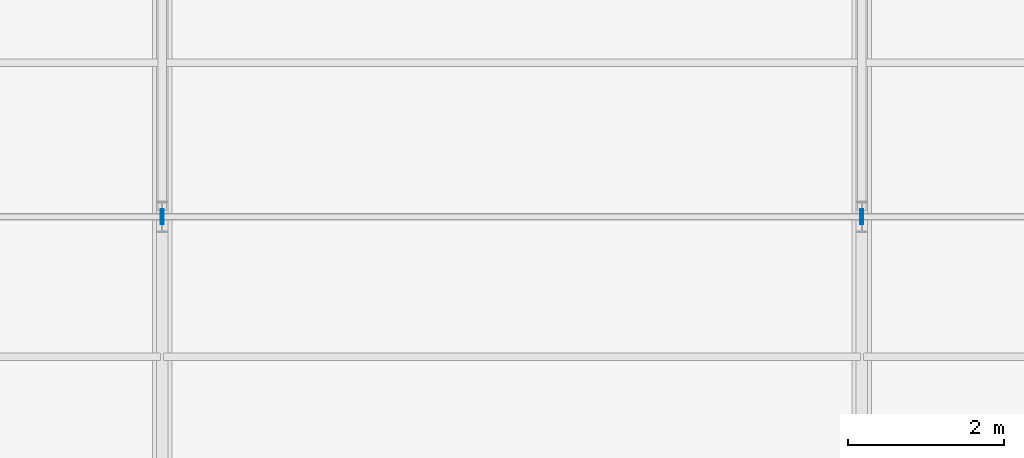
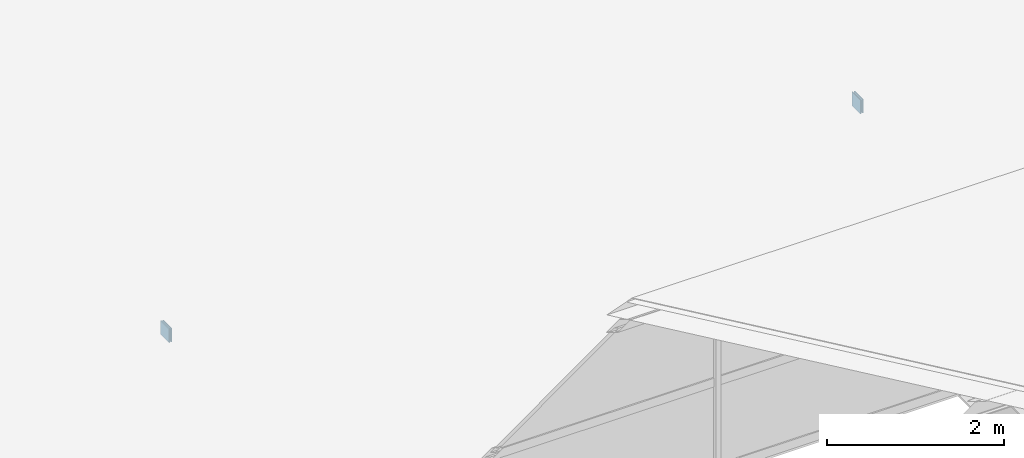
# One storey, part 140 of 163: 4 plates.
"""IFC4 building model written with IfcOpenShell, lengths in metres."""

from ifc_helpers import new_model, si_unit, direction, frame, origin, origin_2d, place, context, subcontext, project, spatial, rectangle, extrude, material, layer, layer_set, type_object, element, save


model = new_model("IFC4")

# Units and contexts
model_context = context("Model", 3, precision=1e-05, world=origin(), true_north=direction((0.0, 1.0)))
body_context = subcontext(model_context, "Body", "Model", "MODEL_VIEW")
ifc_project = project(units=[si_unit("LENGTHUNIT", "METRE"), si_unit("AREAUNIT", "SQUARE_METRE"), si_unit("VOLUMEUNIT", "CUBIC_METRE"), si_unit("PLANEANGLEUNIT", "RADIAN"), si_unit("MASSUNIT", "GRAM", prefix="KILO")], contexts=[model_context])

# Site, building, storey
site_placement = place(None, origin())
site = spatial("IfcSite", under=ifc_project, at=site_placement, CompositionType="ELEMENT")
building_placement = place(site_placement, origin())
building = spatial("IfcBuilding", under=site, at=building_placement, Name="Tharagai Park Tramway Depot", CompositionType="ELEMENT")
storey_placement = place(building_placement, frame((0.0, 0.0, 8.39990234375)))
storey = spatial("IfcBuildingStorey", under=building, at=storey_placement, Name="L02", CompositionType="ELEMENT", Elevation=8.39990234375)

# Plates
ifc_material = material(Name="Steel E350", Category="steel")
ifc_layer = layer(ifc_material, 0.011962890625)
ifc_layer_set = layer_set([ifc_layer], Name="Steel E350")
plate_type = type_object("IfcPlateType", Name="GP-04", PredefinedType="SHEET", material=ifc_layer_set)
for number, where, z_axis, x_axis, name in (
    (1, (107.986083984375, 103.5, 1.8515625), (0.0, 0.0, 1.0), (1.0, 0.0, 0.0), "Tube End Cap Plate GP-04"),
    (2, (108.013916015625, 103.5, 1.8515625), (0.0, 0.0, 1.0), (1.0, 0.0, 0.0), "Tube End Cap Plate GP-04"),
    (3, (116.986083984375, 103.5, 1.8515625), (0.0, 0.0, 1.0), (1.0, 0.0, 0.0), "Tube End Cap Plate GP-04"),
    (4, (117.013916015625, 103.5, 1.8515625), (0.0, 0.0, 1.0), (1.0, 0.0, 0.0), "Tube End Cap Plate GP-04"),
):
    element("IfcPlate", number, at=place(storey_placement, frame(where, z_axis=z_axis, x_axis=x_axis)), inside=storey, type_object=plate_type, Name=name, PredefinedType="SHEET", context=body_context, shape_type="SweptSolid", body=[
        extrude(rectangle(XDim=0.011962890625, YDim=0.18994140625, at=origin_2d()), origin(), (0.0, 0.0, 1.0), 0.18994140625),
    ])

save(model, "model.ifc")
